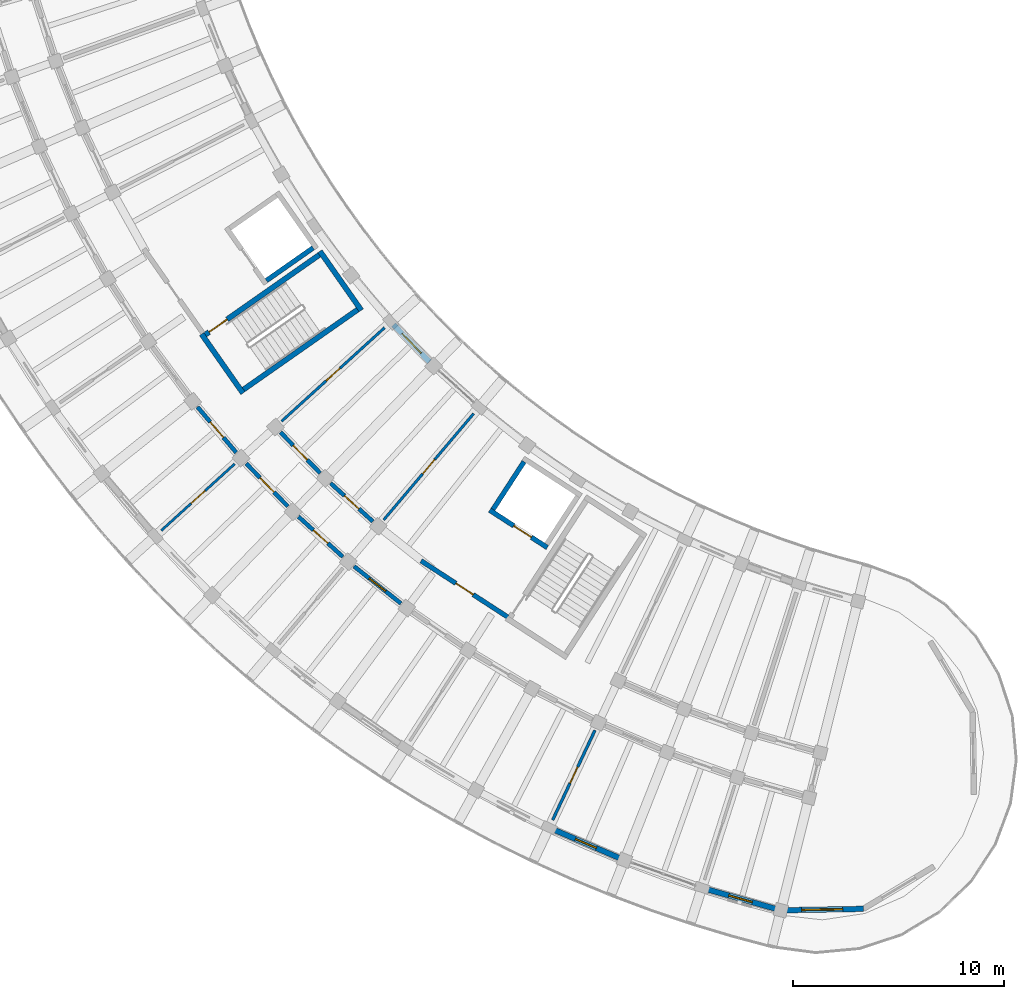
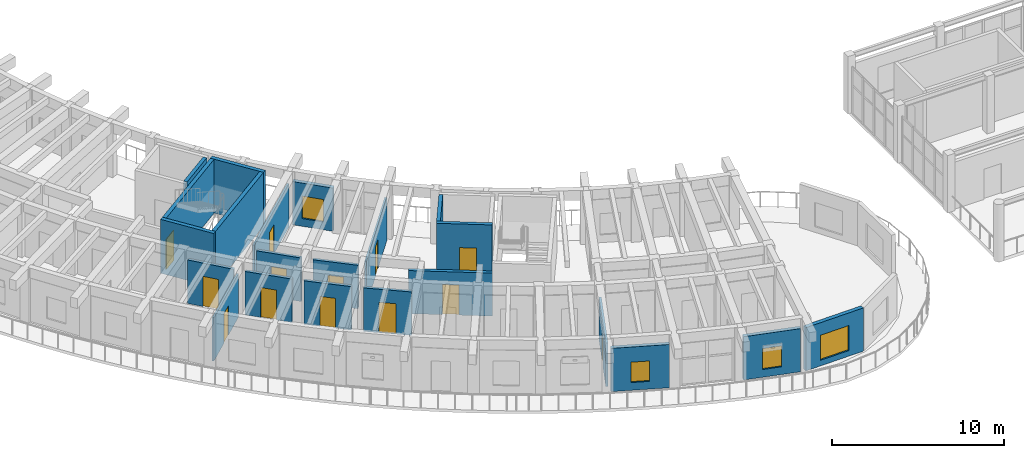
# One storey, part 81 of 128: 22 walls, 13 doors, 4 windows, 17 openings.
"""IFC4 building model written with IfcOpenShell, lengths in metres."""

import ifcopenshell
import ifcopenshell.guid

model = None  # the IFC model being written
_history = None  # IfcOwnerHistory: only IFC2X3 demands one
_inside = {}  # id of a spatial element -> (the spatial element, [elements in it])
_under = {}  # id of a project, library or spatial element -> (it, [spatial elements below it])
_declared = {}  # id of a project -> (the project, [libraries it declares])
_typed = {}  # id of a type object -> (the type object, [elements of that type])
_made_of = {}  # id of a material, layer set ... -> (it, [elements and type objects made of it])


def new_model(schema):
    """Start an empty IFC model of exactly this schema.

    Asked for "IFC4X3", IfcOpenShell would pick the latest addendum, in which some entities
    have other attributes; the version numbers below select the first issue.
    IFC2X3 requires an IfcOwnerHistory on every rooted entity: one is made here for all.
    """
    global model, _history
    if schema == "IFC4X3":
        model = ifcopenshell.file(schema_version=(4, 3, 0, 0))
    else:
        model = ifcopenshell.file(schema=schema)
    _inside.clear()
    _under.clear()
    _declared.clear()
    _typed.clear()
    _made_of.clear()
    _history = None
    if model.schema == "IFC2X3":
        org = make("IfcOrganization", Name="unknown")
        user = make(
            "IfcPersonAndOrganization",
            ThePerson=make("IfcPerson", FamilyName="unknown"),
            TheOrganization=org,
        )
        app = make(
            "IfcApplication",
            ApplicationDeveloper=org,
            Version="unknown",
            ApplicationFullName="unknown",
            ApplicationIdentifier="unknown",
        )
        _history = make(
            "IfcOwnerHistory",
            OwningUser=user,
            OwningApplication=app,
            ChangeAction="ADDED",
            CreationDate=0,
        )
    return model


def make(cls, **values):
    """One entity of the class cls with the attributes given. An attribute that is None is left unset."""
    return model.create_entity(
        cls, **{name: value for name, value in values.items() if value is not None}
    )


def rooted(cls, **values):
    """An entity with a GlobalId (a new one), such as an element, a storey or a relation."""
    return make(cls, GlobalId=ifcopenshell.guid.new(), OwnerHistory=_history, **values)


def si_unit(unit_type, name, prefix=None):
    """IfcSIUnit, for example si_unit("LENGTHUNIT", "METRE", prefix="MILLI")."""
    return make("IfcSIUnit", UnitType=unit_type, Prefix=prefix, Name=name)


def assignment(units):
    """IfcUnitAssignment: the units of a project."""
    return None if units is None else make("IfcUnitAssignment", Units=units)


def point(xyz):
    """IfcCartesianPoint."""
    return None if xyz is None else make("IfcCartesianPoint", Coordinates=xyz)


def direction(xyz):
    """IfcDirection."""
    return None if xyz is None else make("IfcDirection", DirectionRatios=xyz)


def frame(location, z_axis=None, x_axis=None):
    """IfcAxis2Placement3D, a coordinate frame: its origin and axes. An axis left out is left unset."""
    return make(
        "IfcAxis2Placement3D",
        Location=point(location),
        Axis=direction(z_axis),
        RefDirection=direction(x_axis),
    )


def frame_2d(location, x_axis=None):
    """IfcAxis2Placement2D, a coordinate frame in the plane: its origin and x axis."""
    return make(
        "IfcAxis2Placement2D", Location=point(location), RefDirection=direction(x_axis)
    )


def origin():
    """The frame at (0, 0, 0) with its axes left unset."""
    return frame((0.0, 0.0, 0.0))


def place(relative_to, where):
    """IfcLocalPlacement: puts the frame where relative to a parent placement (None: the world)."""
    return make(
        "IfcLocalPlacement", PlacementRelTo=relative_to, RelativePlacement=where
    )


def context(
    kind, dimensions, precision=None, world=None, true_north=None, identifier=None
):
    """IfcGeometricRepresentationContext, for example the 3D "Model" context."""
    return make(
        "IfcGeometricRepresentationContext",
        ContextIdentifier=identifier,
        ContextType=kind,
        CoordinateSpaceDimension=dimensions,
        Precision=precision,
        WorldCoordinateSystem=world,
        TrueNorth=true_north,
    )


def subcontext(parent, identifier, kind, view, scale=None):
    """IfcGeometricRepresentationSubContext, for example "Body" below "Model"."""
    return make(
        "IfcGeometricRepresentationSubContext",
        ContextIdentifier=identifier,
        ContextType=kind,
        ParentContext=parent,
        TargetScale=scale,
        TargetView=view,
    )


def project(units=None, contexts=None):
    """IfcProject with its units and contexts."""
    return rooted(
        "IfcProject",
        Name="project",
        RepresentationContexts=contexts,
        UnitsInContext=assignment(units),
    )


def spatial(cls, under=None, at=None, **own):
    """A site, building, storey or space (cls), placed at a placement, below another one or the project."""
    s = rooted(cls, ObjectPlacement=at, **own)
    if under is not None:
        _under.setdefault(under.id(), (under, []))[1].append(s)
    return s


def profile(cls, at=None, kind="AREA", **sizes):
    """A parametric profile (cls). Its sizes go by their IFC names, for example OverallWidth=200.0."""
    return make(cls, ProfileType=kind, Position=at, **sizes)


def rectangle(**sizes):
    """IfcRectangleProfileDef."""
    return profile("IfcRectangleProfileDef", **sizes)


def extrude(swept, where, along, depth):
    """IfcExtrudedAreaSolid: the profile swept, set in the frame where, extruded along a direction by depth."""
    return make(
        "IfcExtrudedAreaSolid",
        SweptArea=swept,
        Position=where,
        ExtrudedDirection=direction(along),
        Depth=depth,
    )


def shape(context_of_items, identifier, shape_type, items):
    """IfcShapeRepresentation: the items that make up one representation, for example the "Body"."""
    return make(
        "IfcShapeRepresentation",
        ContextOfItems=context_of_items,
        RepresentationIdentifier=identifier,
        RepresentationType=shape_type,
        Items=items,
    )


def material(Name=None, Category=None):
    """IfcMaterial."""
    return make("IfcMaterial", Name=Name, Category=Category)


def layer(
    of_material, thickness, ventilated=None, Name=None, Category=None, Priority=None
):
    """IfcMaterialLayer: one layer of a wall or slab, of a material (None: an air gap)."""
    return make(
        "IfcMaterialLayer",
        Material=of_material,
        LayerThickness=thickness,
        IsVentilated=ventilated,
        Name=Name,
        Category=Category,
        Priority=Priority,
    )


def layer_set(layers, Name=None):
    """IfcMaterialLayerSet."""
    return make("IfcMaterialLayerSet", MaterialLayers=layers, LayerSetName=Name)


def made_of(thing, what):
    """Note that an element or type object is made of a material, layer set ...; save() writes the relation."""
    if what is not None:
        _made_of.setdefault(what.id(), (what, []))[1].append(thing)
    return thing


def type_object(cls, material=None, **own):
    """A type object (cls), such as IfcWallType, which elements share."""
    return made_of(rooted(cls, **own), material)


def element(
    cls,
    number,
    at=None,
    inside=None,
    cuts=None,
    type_object=None,
    material=None,
    context=None,
    identifier="Body",
    shape_type=None,
    held_by="IfcProductDefinitionShape",
    body=None,
    shapes=None,
    **own,
):
    """One element of the class cls, such as IfcWall. Its Tag is "e" and its number.

    at: its placement. inside: the storey or other place that contains it. cuts: it is an
    opening in that element (IfcRelVoidsElement). A single representation is given by context,
    identifier, shape_type and body (its items); several are given by shapes. held_by: the class
    of the entity that holds the representations. save() writes the other relations.
    """
    e = rooted(cls, Tag="e%d" % number, ObjectPlacement=at, **own)
    if body is not None:
        shapes = [shape(context, identifier, shape_type, body)]
    if shapes is not None:
        e.Representation = make(held_by, Representations=shapes)
    if inside is not None:
        _inside.setdefault(inside.id(), (inside, []))[1].append(e)
    if cuts is not None:
        rooted(
            "IfcRelVoidsElement", RelatingBuildingElement=cuts, RelatedOpeningElement=e
        )
    if type_object is not None:
        _typed.setdefault(type_object.id(), (type_object, []))[1].append(e)
    return made_of(e, material)


def fill(opening, filler):
    """IfcRelFillsElement: the door or window that sits in an opening."""
    return rooted(
        "IfcRelFillsElement",
        RelatingOpeningElement=opening,
        RelatedBuildingElement=filler,
    )


def aggregate(whole, parts):
    """IfcRelAggregates: a whole, such as a stair, and the parts it consists of."""
    return rooted("IfcRelAggregates", RelatingObject=whole, RelatedObjects=parts)


def save(model, path):
    """Write the relations noted so far, then the file.

    IfcRelAggregates (storeys below a building ...), IfcRelContainedInSpatialStructure (elements
    in a storey), IfcRelDefinesByType, IfcRelAssociatesMaterial and IfcRelDeclares: one each for
    every whole, place, type object, material and project.
    """
    for whole, parts in _under.values():
        aggregate(whole, parts)
    for where, things in _inside.values():
        rooted(
            "IfcRelContainedInSpatialStructure",
            RelatedElements=things,
            RelatingStructure=where,
        )
    for kind, things in _typed.values():
        rooted("IfcRelDefinesByType", RelatedObjects=things, RelatingType=kind)
    for what, things in _made_of.values():
        rooted("IfcRelAssociatesMaterial", RelatedObjects=things, RelatingMaterial=what)
    for by, libraries in _declared.values():
        rooted("IfcRelDeclares", RelatingContext=by, RelatedDefinitions=libraries)
    model.write(path)


model = new_model("IFC4")

# Units and contexts
model_context = context("Model", 3, precision=1e-05, world=origin(), true_north=direction((0.0, 1.0)))
body_context = subcontext(model_context, "Body", "Model", "MODEL_VIEW")
ifc_project = project(units=[si_unit("LENGTHUNIT", "METRE"), si_unit("AREAUNIT", "SQUARE_METRE"), si_unit("VOLUMEUNIT", "CUBIC_METRE"), si_unit("PLANEANGLEUNIT", "RADIAN"), si_unit("MASSUNIT", "GRAM", prefix="KILO")], contexts=[model_context])

# Site, building, storey
site_placement = place(None, origin())
site = spatial("IfcSite", under=ifc_project, at=site_placement, CompositionType="ELEMENT")
building_placement = place(site_placement, origin())
building = spatial("IfcBuilding", under=site, at=building_placement, Name="Tanwirah Colonnade Gardens", CompositionType="ELEMENT")
storey_placement = place(building_placement, frame((0.0, 0.0, 4.760009765625)))
storey = spatial("IfcBuildingStorey", under=building, at=storey_placement, Name="L01", CompositionType="ELEMENT", Elevation=4.760009765625)

# Wall, opening, window
ifc_material_1 = material(Name="Limestone architectural precast concrete C40/50", Category="masonry")
ifc_layer_1 = layer(ifc_material_1, 0.260009765625)
ifc_layer_set_1 = layer_set([ifc_layer_1], Name="Limestone architectural precast concrete C40/50")
wall_type_1 = type_object("IfcWallType", Name="EW-PC260", PredefinedType="SOLIDWALL", material=ifc_layer_set_1)
wall_1_placement = place(storey_placement, frame((32.22607421875, 34.48046875, 0.0), z_axis=(0.0, 0.0, 1.0), x_axis=(0.696206559645, -0.717841505004, 0.0)))
wall_1 = element("IfcWall", 1, at=wall_1_placement, inside=storey, type_object=wall_type_1, Name="Block C L01 IN Precast Facade Wall 7", PredefinedType="SOLIDWALL", context=body_context, shape_type="SweptSolid", body=[
    extrude(rectangle(XDim=2.44873046875, YDim=0.260009765625, at=frame_2d((1.224365234375, 0.0))), origin(), (0.0, 0.0, 1.0), 3.074951171875),
])
opening_1_placement = place(wall_1_placement, frame((0.574462890625, 0.0, 0.550048828125)))
opening_1 = element("IfcOpeningElement", 2, at=opening_1_placement, cuts=wall_1, Name="Opening WIN-T04", PredefinedType="OPENING", context=body_context, shape_type="SweptSolid", body=[
    extrude(rectangle(XDim=1.300048828125, YDim=1.60009765625, at=frame_2d((0.64990234375, 0.800048828125))), frame((0.0, 0.139892578125, 0.0), z_axis=(0.0, -1.0, 0.0), x_axis=(1.0, 0.0, 0.0)), (0.0, 0.0, 1.0), 0.280029296875),
])
ifc_material_2 = material(Name="Thermally broken bronze aluminium and solar low-E double glazing", Category="aluminium")
window_type_1 = type_object("IfcWindowType", Name="WIN-T04", PartitioningType="DOUBLE_PANEL_VERTICAL", PredefinedType="WINDOW", material=ifc_material_2)
window_1_placement = place(opening_1_placement, origin())
window_1 = element("IfcWindow", 3, at=window_1_placement, inside=storey, type_object=window_type_1, Name="Facade window C-L01-IN-07", OverallHeight=1.60009765625, OverallWidth=1.300048828125, PartitioningType="SINGLE_PANEL", PredefinedType="WINDOW", context=body_context, shape_type="SweptSolid", body=[
    extrude(rectangle(XDim=1.300048828125, YDim=1.60009765625, at=frame_2d((0.64990234375, 0.800048828125))), frame((0.0, 0.030029296875, 0.0), z_axis=(0.0, -1.0, 0.0), x_axis=(1.0, 0.0, 0.0)), (0.0, 0.0, 1.0), 0.06005859375),
])
fill(opening_1, window_1)

wall_2_placement = place(storey_placement, frame((39.767578125, 10.56640625, 0.0), z_axis=(0.0, 0.0, 1.0), x_axis=(0.917905988043, -0.396797929826, 0.0)))
wall_2 = element("IfcWall", 4, at=wall_2_placement, inside=storey, type_object=wall_type_1, Name="Block C L01 OUT Precast Facade Wall 13", PredefinedType="SOLIDWALL", context=body_context, shape_type="SweptSolid", body=[
    extrude(rectangle(XDim=3.43701171875, YDim=0.260009765625, at=frame_2d((1.718505859375, 0.0))), origin(), (0.0, 0.0, 1.0), 3.074951171875),
])
opening_2_placement = place(wall_2_placement, frame((1.178466796875, 0.0, 0.550048828125)))
opening_2 = element("IfcOpeningElement", 5, at=opening_2_placement, cuts=wall_2, Name="Opening WIN-T15", PredefinedType="OPENING", context=body_context, shape_type="SweptSolid", body=[
    extrude(rectangle(XDim=1.080078125, YDim=1.449951171875, at=frame_2d((0.5400390625, 0.72509765625))), frame((0.0, 0.139892578125, 0.0), z_axis=(0.0, -1.0, 0.0), x_axis=(1.0, 0.0, 0.0)), (0.0, 0.0, 1.0), 0.280029296875),
])
window_type_2 = type_object("IfcWindowType", Name="WIN-T15", PartitioningType="SINGLE_PANEL", PredefinedType="WINDOW", material=ifc_material_2)
window_2_placement = place(opening_2_placement, origin())
window_2 = element("IfcWindow", 6, at=window_2_placement, inside=storey, type_object=window_type_2, Name="Facade window C-L01-OUT-13", OverallHeight=1.449951171875, OverallWidth=1.080078125, PartitioningType="SINGLE_PANEL", PredefinedType="WINDOW", context=body_context, shape_type="SweptSolid", body=[
    extrude(rectangle(XDim=1.080078125, YDim=1.449951171875, at=frame_2d((0.5400390625, 0.72509765625))), frame((0.0, 0.030029296875, 0.0), z_axis=(0.0, -1.0, 0.0), x_axis=(1.0, 0.0, 0.0)), (0.0, 0.0, 1.0), 0.06005859375),
])
fill(opening_2, window_2)

wall_3_placement = place(storey_placement, frame((47.023193359375, 7.734130859375, 0.0), z_axis=(0.0, 0.0, 1.0), x_axis=(0.961876981915, -0.273482488766, 0.0)))
wall_3 = element("IfcWall", 7, at=wall_3_placement, inside=storey, type_object=wall_type_1, Name="Block C L01 OUT Precast Facade Wall 15", PredefinedType="SOLIDWALL", context=body_context, shape_type="SweptSolid", body=[
    extrude(rectangle(XDim=3.43701171875, YDim=0.260009765625, at=frame_2d((1.718505859375, 0.0))), origin(), (0.0, 0.0, 1.0), 3.074951171875),
])
opening_3_placement = place(wall_3_placement, frame((1.138427734375, 0.0, 0.550048828125)))
opening_3 = element("IfcOpeningElement", 8, at=opening_3_placement, cuts=wall_3, Name="Opening WIN-U01", PredefinedType="OPENING", context=body_context, shape_type="SweptSolid", body=[
    extrude(rectangle(XDim=1.159912109375, YDim=1.485107421875, at=frame_2d((0.580078125, 0.74267578125))), frame((0.0, 0.139892578125, 0.0), z_axis=(0.0, -1.0, 0.0), x_axis=(1.0, 0.0, 0.0)), (0.0, 0.0, 1.0), 0.280029296875),
])
window_type_3 = type_object("IfcWindowType", Name="WIN-U01", PartitioningType="DOUBLE_PANEL_VERTICAL", PredefinedType="WINDOW", material=ifc_material_2)
window_3_placement = place(opening_3_placement, origin())
window_3 = element("IfcWindow", 9, at=window_3_placement, inside=storey, type_object=window_type_3, Name="Facade window C-L01-OUT-15", OverallHeight=1.485107421875, OverallWidth=1.159912109375, PartitioningType="SINGLE_PANEL", PredefinedType="WINDOW", context=body_context, shape_type="SweptSolid", body=[
    extrude(rectangle(XDim=1.159912109375, YDim=1.485107421875, at=frame_2d((0.580078125, 0.74267578125))), frame((0.0, 0.030029296875, 0.0), z_axis=(0.0, -1.0, 0.0), x_axis=(1.0, 0.0, 0.0)), (0.0, 0.0, 1.0), 0.06005859375),
])
fill(opening_3, window_3)

wall_4_placement = place(storey_placement, frame((54.501220703125, 6.787109375, 0.0), z_axis=(0.0, 0.0, 1.0), x_axis=(-0.999848115368, -0.017428315893, 0.0)))
wall_4 = element("IfcWall", 10, at=wall_4_placement, inside=storey, type_object=wall_type_1, Name="Block C L01 END Rounded End Wall 5", PredefinedType="SOLIDWALL", context=body_context, shape_type="SweptSolid", body=[
    extrude(rectangle(XDim=3.908203125, YDim=0.260009765625, at=frame_2d((1.9541015625, 0.0))), origin(), (0.0, 0.0, 1.0), 3.074951171875),
])
opening_4_placement = place(wall_4_placement, frame((0.97900390625, 0.0, 0.39990234375)))
opening_4 = element("IfcOpeningElement", 11, at=opening_4_placement, cuts=wall_4, Name="Opening WIN-END2", PredefinedType="OPENING", context=body_context, shape_type="SweptSolid", body=[
    extrude(rectangle(XDim=1.949951171875, YDim=1.780029296875, at=frame_2d((0.97509765625, 0.89013671875))), frame((0.0, 0.139892578125, 0.0), z_axis=(0.0, -1.0, 0.0), x_axis=(1.0, 0.0, 0.0)), (0.0, 0.0, 1.0), 0.280029296875),
])
window_type_4 = type_object("IfcWindowType", Name="WIN-END2", PartitioningType="TRIPLE_PANEL_VERTICAL", PredefinedType="WINDOW", material=ifc_material_2)
window_4_placement = place(opening_4_placement, origin())
window_4 = element("IfcWindow", 12, at=window_4_placement, inside=storey, type_object=window_type_4, Name="Rounded corner window C-L01-END-5", OverallHeight=1.780029296875, OverallWidth=1.949951171875, PartitioningType="SINGLE_PANEL", PredefinedType="WINDOW", context=body_context, shape_type="SweptSolid", body=[
    extrude(rectangle(XDim=1.949951171875, YDim=1.780029296875, at=frame_2d((0.97509765625, 0.89013671875))), frame((0.0, 0.030029296875, 0.0), z_axis=(0.0, -1.0, 0.0), x_axis=(1.0, 0.0, 0.0)), (0.0, 0.0, 1.0), 0.06005859375),
])
fill(opening_4, window_4)

# Wall, opening, door
ifc_material_3 = material(Name="Precast concrete C40/50", Category="concrete")
ifc_layer_2 = layer(ifc_material_3, 0.195068359375)
ifc_layer_set_2 = layer_set([ifc_layer_2], Name="Precast concrete C40/50")
wall_type_2 = type_object("IfcWallType", Name="IW-CORR195", PredefinedType="PARTITIONING", material=ifc_layer_set_2)
wall_5_placement = place(storey_placement, frame((22.9267578125, 30.58642578125, 0.0), z_axis=(0.0, 0.0, 1.0), x_axis=(0.64778830669, -0.761820392032, 0.0)))
wall_5 = element("IfcWall", 13, at=wall_5_placement, inside=storey, type_object=wall_type_2, Name="Block C L01 OUT Corridor Wall 6", PredefinedType="PARTITIONING", context=body_context, shape_type="SweptSolid", body=[
    extrude(rectangle(XDim=2.8369140625, YDim=0.195068359375, at=frame_2d((1.41845703125, 0.0))), origin(), (0.0, 0.0, 1.0), 3.090087890625),
])
opening_5_placement = place(wall_5_placement, frame((0.93359375, 0.0, 0.0)))
opening_5 = element("IfcOpeningElement", 14, at=opening_5_placement, cuts=wall_5, Name="Opening L01-AD1328", PredefinedType="OPENING", context=body_context, shape_type="SweptSolid", body=[
    extrude(rectangle(XDim=0.969970703125, YDim=2.14990234375, at=frame_2d((0.48486328125, 1.074951171875))), frame((0.0, 0.107421875, 0.0), z_axis=(0.0, -1.0, 0.0), x_axis=(1.0, 0.0, 0.0)), (0.0, 0.0, 1.0), 0.215087890625),
])
ifc_material_4 = material(Name="Solid oak fire-resisting apartment entrance door")
door_type_1 = type_object("IfcDoorType", Name="ID-FLT097", OperationType="NOTDEFINED", PredefinedType="DOOR", material=ifc_material_4)
door_1_placement = place(opening_5_placement, origin())
door_1 = element("IfcDoor", 15, at=door_1_placement, inside=storey, type_object=door_type_1, Name="Apartment corridor door L01-AD1328", OperationType="SINGLE_SWING_RIGHT", OverallHeight=2.14990234375, OverallWidth=0.969970703125, PredefinedType="DOOR", context=body_context, shape_type="SweptSolid", body=[
    extrude(rectangle(XDim=0.969970703125, YDim=2.14990234375, at=frame_2d((0.48486328125, 1.074951171875))), frame((0.0, 0.02490234375, 0.0), z_axis=(0.0, -1.0, 0.0), x_axis=(1.0, 0.0, 0.0)), (0.0, 0.0, 1.0), 0.050048828125),
])
fill(opening_5, door_1)

wall_6_placement = place(storey_placement, frame((25.23486328125, 27.9072265625, 0.0), z_axis=(0.0, 0.0, 1.0), x_axis=(0.696223786753, -0.717824796701, 0.0)))
wall_6 = element("IfcWall", 16, at=wall_6_placement, inside=storey, type_object=wall_type_2, Name="Block C L01 OUT Corridor Wall 7", PredefinedType="PARTITIONING", context=body_context, shape_type="SweptSolid", body=[
    extrude(rectangle(XDim=2.8369140625, YDim=0.195068359375, at=frame_2d((1.41845703125, 0.0))), origin(), (0.0, 0.0, 1.0), 3.090087890625),
])
opening_6_placement = place(wall_6_placement, frame((0.943603515625, 0.0, 0.0)))
opening_6 = element("IfcOpeningElement", 17, at=opening_6_placement, cuts=wall_6, Name="Opening L01-AD1331", PredefinedType="OPENING", context=body_context, shape_type="SweptSolid", body=[
    extrude(rectangle(XDim=0.949951171875, YDim=2.1298828125, at=frame_2d((0.47509765625, 1.06494140625))), frame((0.0, 0.107421875, 0.0), z_axis=(0.0, -1.0, 0.0), x_axis=(1.0, 0.0, 0.0)), (0.0, 0.0, 1.0), 0.215087890625),
])
door_type_2 = type_object("IfcDoorType", Name="ID-FLT095", OperationType="NOTDEFINED", PredefinedType="DOOR", material=ifc_material_4)
door_2_placement = place(opening_6_placement, origin())
door_2 = element("IfcDoor", 18, at=door_2_placement, inside=storey, type_object=door_type_2, Name="Apartment corridor door L01-AD1331", OperationType="SINGLE_SWING_LEFT", OverallHeight=2.1298828125, OverallWidth=0.949951171875, PredefinedType="DOOR", context=body_context, shape_type="SweptSolid", body=[
    extrude(rectangle(XDim=0.949951171875, YDim=2.1298828125, at=frame_2d((0.47509765625, 1.06494140625))), frame((0.0, 0.02490234375, 0.0), z_axis=(0.0, -1.0, 0.0), x_axis=(1.0, 0.0, 0.0)), (0.0, 0.0, 1.0), 0.050048828125),
])
fill(opening_6, door_2)

wall_7_placement = place(storey_placement, frame((26.86328125, 29.386474609375, 0.0), z_axis=(0.0, 0.0, 1.0), x_axis=(0.696236443412, -0.717812520694, 0.0)))
wall_7 = element("IfcWall", 19, at=wall_7_placement, inside=storey, type_object=wall_type_2, Name="Block C L01 IN Corridor Wall 7", PredefinedType="PARTITIONING", context=body_context, shape_type="SweptSolid", body=[
    extrude(rectangle(XDim=2.693115234375, YDim=0.195068359375, at=frame_2d((1.3466796875, 0.0))), origin(), (0.0, 0.0, 1.0), 3.090087890625),
])
opening_7_placement = place(wall_7_placement, frame((0.87158203125, 0.0, 0.0)))
opening_7 = element("IfcOpeningElement", 20, at=opening_7_placement, cuts=wall_7, Name="Opening L01-AD1332", PredefinedType="OPENING", context=body_context, shape_type="SweptSolid", body=[
    extrude(rectangle(XDim=0.949951171875, YDim=2.1298828125, at=frame_2d((0.47509765625, 1.06494140625))), frame((0.0, 0.107421875, 0.0), z_axis=(0.0, -1.0, 0.0), x_axis=(1.0, 0.0, 0.0)), (0.0, 0.0, 1.0), 0.215087890625),
])
door_3_placement = place(opening_7_placement, origin())
door_3 = element("IfcDoor", 21, at=door_3_placement, inside=storey, type_object=door_type_2, Name="Apartment corridor door L01-AD1332", OperationType="SINGLE_SWING_RIGHT", OverallHeight=2.1298828125, OverallWidth=0.949951171875, PredefinedType="DOOR", context=body_context, shape_type="SweptSolid", body=[
    extrude(rectangle(XDim=0.949951171875, YDim=2.1298828125, at=frame_2d((0.47509765625, 1.06494140625))), frame((0.0, 0.02490234375, 0.0), z_axis=(0.0, -1.0, 0.0), x_axis=(1.0, 0.0, 0.0)), (0.0, 0.0, 1.0), 0.050048828125),
])
fill(opening_7, door_3)

wall_8_placement = place(storey_placement, frame((27.71337890625, 25.385009765625, 0.0), z_axis=(0.0, 0.0, 1.0), x_axis=(0.741631592147, -0.670807410163, 0.0)))
wall_8 = element("IfcWall", 22, at=wall_8_placement, inside=storey, type_object=wall_type_2, Name="Block C L01 OUT Corridor Wall 8", PredefinedType="PARTITIONING", context=body_context, shape_type="SweptSolid", body=[
    extrude(rectangle(XDim=2.8369140625, YDim=0.195068359375, at=frame_2d((1.41845703125, 0.0))), origin(), (0.0, 0.0, 1.0), 3.090087890625),
])
opening_8_placement = place(wall_8_placement, frame((0.95361328125, 0.0, 0.0)))
opening_8 = element("IfcOpeningElement", 23, at=opening_8_placement, cuts=wall_8, Name="Opening L01-AD1333", PredefinedType="OPENING", context=body_context, shape_type="SweptSolid", body=[
    extrude(rectangle(XDim=0.929931640625, YDim=2.1201171875, at=frame_2d((0.46484375, 1.06005859375))), frame((0.0, 0.107421875, 0.0), z_axis=(0.0, -1.0, 0.0), x_axis=(1.0, 0.0, 0.0)), (0.0, 0.0, 1.0), 0.215087890625),
])
door_type_3 = type_object("IfcDoorType", Name="ID-FLT093", OperationType="NOTDEFINED", PredefinedType="DOOR", material=ifc_material_4)
door_4_placement = place(opening_8_placement, origin())
door_4 = element("IfcDoor", 24, at=door_4_placement, inside=storey, type_object=door_type_3, Name="Apartment corridor door L01-AD1333", OperationType="SINGLE_SWING_RIGHT", OverallHeight=2.1201171875, OverallWidth=0.929931640625, PredefinedType="DOOR", context=body_context, shape_type="SweptSolid", body=[
    extrude(rectangle(XDim=0.929931640625, YDim=2.1201171875, at=frame_2d((0.46484375, 1.06005859375))), frame((0.0, 0.02490234375, 0.0), z_axis=(0.0, -1.0, 0.0), x_axis=(1.0, 0.0, 0.0)), (0.0, 0.0, 1.0), 0.050048828125),
])
fill(opening_8, door_4)

wall_9_placement = place(storey_placement, frame((29.241455078125, 26.967529296875, 0.0), z_axis=(0.0, 0.0, 1.0), x_axis=(0.74166462946, -0.670770882945, 0.0)))
wall_9 = element("IfcWall", 25, at=wall_9_placement, inside=storey, type_object=wall_type_2, Name="Block C L01 IN Corridor Wall 8", PredefinedType="PARTITIONING", context=body_context, shape_type="SweptSolid", body=[
    extrude(rectangle(XDim=2.693115234375, YDim=0.195068359375, at=frame_2d((1.3466796875, 0.0))), origin(), (0.0, 0.0, 1.0), 3.090087890625),
])
opening_9_placement = place(wall_9_placement, frame((0.881591796875, 0.0, 0.0)))
opening_9 = element("IfcOpeningElement", 26, at=opening_9_placement, cuts=wall_9, Name="Opening L01-AD1334", PredefinedType="OPENING", context=body_context, shape_type="SweptSolid", body=[
    extrude(rectangle(XDim=0.929931640625, YDim=2.1201171875, at=frame_2d((0.46484375, 1.06005859375))), frame((0.0, 0.107421875, 0.0), z_axis=(0.0, -1.0, 0.0), x_axis=(1.0, 0.0, 0.0)), (0.0, 0.0, 1.0), 0.215087890625),
])
door_5_placement = place(opening_9_placement, origin())
door_5 = element("IfcDoor", 27, at=door_5_placement, inside=storey, type_object=door_type_3, Name="Apartment corridor door L01-AD1334", OperationType="SINGLE_SWING_LEFT", OverallHeight=2.1201171875, OverallWidth=0.929931640625, PredefinedType="DOOR", context=body_context, shape_type="SweptSolid", body=[
    extrude(rectangle(XDim=0.929931640625, YDim=2.1201171875, at=frame_2d((0.46484375, 1.06005859375))), frame((0.0, 0.02490234375, 0.0), z_axis=(0.0, -1.0, 0.0), x_axis=(1.0, 0.0, 0.0)), (0.0, 0.0, 1.0), 0.050048828125),
])
fill(opening_9, door_5)

wall_10_placement = place(storey_placement, frame((30.351318359375, 23.030029296875, 0.0), z_axis=(0.0, 0.0, 1.0), x_axis=(0.783965548427, -0.620804332201, 0.0)))
wall_10 = element("IfcWall", 28, at=wall_10_placement, inside=storey, type_object=wall_type_2, Name="Block C L01 OUT Corridor Wall 9", PredefinedType="PARTITIONING", context=body_context, shape_type="SweptSolid", body=[
    extrude(rectangle(XDim=2.8369140625, YDim=0.195068359375, at=frame_2d((1.41845703125, 0.0))), origin(), (0.0, 0.0, 1.0), 3.090087890625),
])
opening_10_placement = place(wall_10_placement, frame((0.923583984375, 0.0, 0.0)))
opening_10 = element("IfcOpeningElement", 29, at=opening_10_placement, cuts=wall_10, Name="Opening L01-AD1337", PredefinedType="OPENING", context=body_context, shape_type="SweptSolid", body=[
    extrude(rectangle(XDim=0.989990234375, YDim=2.159912109375, at=frame_2d((0.4951171875, 1.080078125))), frame((0.0, 0.107421875, 0.0), z_axis=(0.0, -1.0, 0.0), x_axis=(1.0, 0.0, 0.0)), (0.0, 0.0, 1.0), 0.215087890625),
])
door_type_4 = type_object("IfcDoorType", Name="ID-FLT099", OperationType="NOTDEFINED", PredefinedType="DOOR", material=ifc_material_4)
door_6_placement = place(opening_10_placement, origin())
door_6 = element("IfcDoor", 30, at=door_6_placement, inside=storey, type_object=door_type_4, Name="Apartment corridor door L01-AD1337", OperationType="SINGLE_SWING_LEFT", OverallHeight=2.159912109375, OverallWidth=0.989990234375, PredefinedType="DOOR", context=body_context, shape_type="SweptSolid", body=[
    extrude(rectangle(XDim=0.989990234375, YDim=2.159912109375, at=frame_2d((0.4951171875, 1.080078125))), frame((0.0, 0.02490234375, 0.0), z_axis=(0.0, -1.0, 0.0), x_axis=(1.0, 0.0, 0.0)), (0.0, 0.0, 1.0), 0.050048828125),
])
fill(opening_10, door_6)

ifc_material_5 = material(Name="Autoclaved aerated masonry blockwork", Category="masonry")
ifc_layer_3 = layer(ifc_material_5, 0.219970703125)
ifc_layer_set_3 = layer_set([ifc_layer_3], Name="Autoclaved aerated masonry blockwork")
wall_type_3 = type_object("IfcWallType", Name="IW-FFL220", PredefinedType="PARTITIONING", material=ifc_layer_set_3)
wall_11_placement = place(storey_placement, frame((37.638916015625, 20.623291015625, 0.0), z_axis=(0.0, 0.0, 1.0), x_axis=(-0.838681446513, 0.544622283124, 0.0)))
wall_11 = element("IfcWall", 31, at=wall_11_placement, inside=storey, type_object=wall_type_3, Name="CORE-C2 L01 Enclosed Lobby Fire Wall", PredefinedType="PARTITIONING", context=body_context, shape_type="SweptSolid", body=[
    extrude(rectangle(XDim=4.900146484375, YDim=0.219970703125, at=frame_2d((2.4501953125, 0.0))), origin(), (0.0, 0.0, 1.0), 3.06005859375),
])
opening_11_placement = place(wall_11_placement, frame((1.949951171875, 0.0, 0.0)))
opening_11 = element("IfcOpeningElement", 32, at=opening_11_placement, cuts=wall_11, Name="Opening L01-LD159", PredefinedType="OPENING", context=body_context, shape_type="SweptSolid", body=[
    extrude(rectangle(XDim=0.97998046875, YDim=2.139892578125, at=frame_2d((0.489990234375, 1.06982421875))), frame((0.0, 0.119873046875, 0.0), z_axis=(0.0, -1.0, 0.0), x_axis=(1.0, 0.0, 0.0)), (0.0, 0.0, 1.0), 0.239990234375),
])
ifc_material_6 = material(Name="Acoustic fire-resisting lobby door")
door_type_5 = type_object("IfcDoorType", Name="ID-FFL098", OperationType="NOTDEFINED", PredefinedType="DOOR", material=ifc_material_6)
door_7_placement = place(opening_11_placement, origin())
door_7 = element("IfcDoor", 33, at=door_7_placement, inside=storey, type_object=door_type_5, Name="CORE-C2 L01 Lobby Fire Door L01-LD159", OperationType="SINGLE_SWING_RIGHT", OverallHeight=2.139892578125, OverallWidth=0.97998046875, PredefinedType="DOOR", context=body_context, shape_type="SweptSolid", body=[
    extrude(rectangle(XDim=0.97998046875, YDim=2.139892578125, at=frame_2d((0.489990234375, 1.06982421875))), frame((0.0, 0.02490234375, 0.0), z_axis=(0.0, -1.0, 0.0), x_axis=(1.0, 0.0, 0.0)), (0.0, 0.0, 1.0), 0.050048828125),
])
fill(opening_11, door_7)

ifc_material_7 = material(Name="Acoustic gypsum stud partition")
ifc_layer_4 = layer(ifc_material_7, 0.114990234375)
ifc_layer_set_4 = layer_set([ifc_layer_4], Name="Acoustic gypsum stud partition")
wall_type_4 = type_object("IfcWallType", Name="IW-INT115", PredefinedType="PARTITIONING", material=ifc_layer_set_4)
wall_12_placement = place(storey_placement, frame((24.695068359375, 27.8896484375, 0.0), z_axis=(0.0, 0.0, 1.0), x_axis=(-0.740212663782, -0.672372822456, 0.0)))
wall_12 = element("IfcWall", 34, at=wall_12_placement, inside=storey, type_object=wall_type_4, Name="Block C L01 Radial Partition 6", PredefinedType="PARTITIONING", context=body_context, shape_type="SweptSolid", body=[
    extrude(rectangle(XDim=4.699951171875, YDim=0.114990234375, at=frame_2d((2.35009765625, 0.0))), origin(), (0.0, 0.0, 1.0), 3.090087890625),
])
opening_12_placement = place(wall_12_placement, frame((1.905029296875, 0.0, 0.0)))
opening_12 = element("IfcOpeningElement", 35, at=opening_12_placement, cuts=wall_12, Name="Opening L01-RD1329", PredefinedType="OPENING", context=body_context, shape_type="SweptSolid", body=[
    extrude(rectangle(XDim=0.889892578125, YDim=2.10009765625, at=frame_2d((0.44482421875, 1.050048828125))), frame((0.0, 0.0673828125, 0.0), z_axis=(0.0, -1.0, 0.0), x_axis=(1.0, 0.0, 0.0)), (0.0, 0.0, 1.0), 0.135009765625),
])
ifc_material_8 = material(Name="Painted hardwood bedroom door", Category="wood")
door_type_6 = type_object("IfcDoorType", Name="ID-RM089", OperationType="NOTDEFINED", PredefinedType="DOOR", material=ifc_material_8)
door_8_placement = place(opening_12_placement, origin())
door_8 = element("IfcDoor", 36, at=door_8_placement, inside=storey, type_object=door_type_6, Name="Internal apartment door L01-RD1329", OperationType="SINGLE_SWING_RIGHT", OverallHeight=2.10009765625, OverallWidth=0.889892578125, PredefinedType="DOOR", context=body_context, shape_type="SweptSolid", body=[
    extrude(rectangle(XDim=0.889892578125, YDim=2.10009765625, at=frame_2d((0.44482421875, 1.050048828125))), frame((0.0, 0.02490234375, 0.0), z_axis=(0.0, -1.0, 0.0), x_axis=(1.0, 0.0, 0.0)), (0.0, 0.0, 1.0), 0.050048828125),
])
fill(opening_12, door_8)

ifc_material_9 = material(Name="Moisture-resistant gypsum stud partition")
ifc_layer_5 = layer(ifc_material_9, 0.125)
ifc_layer_set_5 = layer_set([ifc_layer_5], Name="Moisture-resistant gypsum stud partition")
wall_type_5 = type_object("IfcWallType", Name="IW-INT125", PredefinedType="PARTITIONING", material=ifc_layer_set_5)
wall_13_placement = place(storey_placement, frame((31.80126953125, 34.34423828125, 0.0), z_axis=(0.0, 0.0, 1.0), x_axis=(-0.74023124711, -0.672352363573, 0.0)))
wall_13 = element("IfcWall", 37, at=wall_13_placement, inside=storey, type_object=wall_type_5, Name="Block C L01 Inner Radial Partition 6", PredefinedType="PARTITIONING", context=body_context, shape_type="SweptSolid", body=[
    extrude(rectangle(XDim=6.599853515625, YDim=0.125, at=frame_2d((3.2998046875, 0.0))), origin(), (0.0, 0.0, 1.0), 3.090087890625),
])
opening_13_placement = place(wall_13_placement, frame((2.864990234375, 0.0, 0.0)))
opening_13 = element("IfcOpeningElement", 38, at=opening_13_placement, cuts=wall_13, Name="Opening L01-RD1330", PredefinedType="OPENING", context=body_context, shape_type="SweptSolid", body=[
    extrude(rectangle(XDim=0.8701171875, YDim=2.080078125, at=frame_2d((0.43505859375, 1.0400390625))), frame((0.0, 0.072509765625, 0.0), z_axis=(0.0, -1.0, 0.0), x_axis=(1.0, 0.0, 0.0)), (0.0, 0.0, 1.0), 0.14501953125),
])
ifc_material_10 = material(Name="Painted hardwood study door", Category="wood")
door_type_7 = type_object("IfcDoorType", Name="ID-RM087", OperationType="NOTDEFINED", PredefinedType="DOOR", material=ifc_material_10)
door_9_placement = place(opening_13_placement, origin())
door_9 = element("IfcDoor", 39, at=door_9_placement, inside=storey, type_object=door_type_7, Name="Internal apartment door L01-RD1330", OperationType="SINGLE_SWING_LEFT", OverallHeight=2.080078125, OverallWidth=0.8701171875, PredefinedType="DOOR", context=body_context, shape_type="SweptSolid", body=[
    extrude(rectangle(XDim=0.8701171875, YDim=2.080078125, at=frame_2d((0.43505859375, 1.0400390625))), frame((0.0, 0.02490234375, 0.0), z_axis=(0.0, -1.0, 0.0), x_axis=(1.0, 0.0, 0.0)), (0.0, 0.0, 1.0), 0.050048828125),
])
fill(opening_13, door_9)

wall_14_placement = place(storey_placement, frame((36.021240234375, 30.26904296875, 0.0), z_axis=(0.0, 0.0, 1.0), x_axis=(-0.646121311019, -0.763234728932, 0.0)))
wall_14 = element("IfcWall", 40, at=wall_14_placement, inside=storey, type_object=wall_type_5, Name="Block C L01 Inner Radial Partition 8", PredefinedType="PARTITIONING", context=body_context, shape_type="SweptSolid", body=[
    extrude(rectangle(XDim=6.60009765625, YDim=0.125, at=frame_2d((3.300048828125, 0.0))), origin(), (0.0, 0.0, 1.0), 3.090087890625),
])
opening_14_placement = place(wall_14_placement, frame((2.85498046875, 0.0, 0.0)))
opening_14 = element("IfcOpeningElement", 41, at=opening_14_placement, cuts=wall_14, Name="Opening L01-RD1336", PredefinedType="OPENING", context=body_context, shape_type="SweptSolid", body=[
    extrude(rectangle(XDim=0.889892578125, YDim=2.10009765625, at=frame_2d((0.44482421875, 1.050048828125))), frame((0.0, 0.072509765625, 0.0), z_axis=(0.0, -1.0, 0.0), x_axis=(1.0, 0.0, 0.0)), (0.0, 0.0, 1.0), 0.14501953125),
])
door_10_placement = place(opening_14_placement, origin())
door_10 = element("IfcDoor", 42, at=door_10_placement, inside=storey, type_object=door_type_6, Name="Internal apartment door L01-RD1336", OperationType="SINGLE_SWING_LEFT", OverallHeight=2.10009765625, OverallWidth=0.889892578125, PredefinedType="DOOR", context=body_context, shape_type="SweptSolid", body=[
    extrude(rectangle(XDim=0.889892578125, YDim=2.10009765625, at=frame_2d((0.44482421875, 1.050048828125))), frame((0.0, 0.02490234375, 0.0), z_axis=(0.0, -1.0, 0.0), x_axis=(1.0, 0.0, 0.0)), (0.0, 0.0, 1.0), 0.050048828125),
])
fill(opening_14, door_10)

ifc_material_11 = material(Name="Water-resistant acoustic plumbing partition")
ifc_layer_6 = layer(ifc_material_11, 0.139892578125)
ifc_layer_set_6 = layer_set([ifc_layer_6], Name="Water-resistant acoustic plumbing partition")
wall_type_6 = type_object("IfcWallType", Name="IW-WET140", PredefinedType="PLUMBINGWALL", material=ifc_layer_set_6)
wall_15_placement = place(storey_placement, frame((41.7734375, 15.25244140625, 0.0), z_axis=(0.0, 0.0, 1.0), x_axis=(-0.426567365945, -0.904455793453, 0.0)))
wall_15 = element("IfcWall", 43, at=wall_15_placement, inside=storey, type_object=wall_type_6, Name="Block C L01 Radial Partition 12", PredefinedType="PLUMBINGWALL", context=body_context, shape_type="SweptSolid", body=[
    extrude(rectangle(XDim=4.699951171875, YDim=0.139892578125, at=frame_2d((2.35009765625, 0.0))), origin(), (0.0, 0.0, 1.0), 3.090087890625),
])
opening_15_placement = place(wall_15_placement, frame((1.925048828125, 0.0, 0.0)))
opening_15 = element("IfcOpeningElement", 44, at=opening_15_placement, cuts=wall_15, Name="Opening L01-RD1342", PredefinedType="OPENING", context=body_context, shape_type="SweptSolid", body=[
    extrude(rectangle(XDim=0.85009765625, YDim=2.050048828125, at=frame_2d((0.425048828125, 1.02490234375))), frame((0.0, 0.079833984375, 0.0), z_axis=(0.0, -1.0, 0.0), x_axis=(1.0, 0.0, 0.0)), (0.0, 0.0, 1.0), 0.159912109375),
])
ifc_material_12 = material(Name="Moisture-resistant en-suite door")
door_type_8 = type_object("IfcDoorType", Name="ID-WET085", OperationType="NOTDEFINED", PredefinedType="DOOR", material=ifc_material_12)
door_11_placement = place(opening_15_placement, origin())
door_11 = element("IfcDoor", 45, at=door_11_placement, inside=storey, type_object=door_type_8, Name="Internal apartment door L01-RD1342", OperationType="SINGLE_SWING_RIGHT", OverallHeight=2.050048828125, OverallWidth=0.85009765625, PredefinedType="DOOR", context=body_context, shape_type="SweptSolid", body=[
    extrude(rectangle(XDim=0.85009765625, YDim=2.050048828125, at=frame_2d((0.425048828125, 1.02490234375))), frame((0.0, 0.02490234375, 0.0), z_axis=(0.0, -1.0, 0.0), x_axis=(1.0, 0.0, 0.0)), (0.0, 0.0, 1.0), 0.050048828125),
])
fill(opening_15, door_11)

# Walls
ifc_material_13 = material(Name="Concrete C45/55", Category="concrete")
ifc_layer_7 = layer(ifc_material_13, 0.25)
ifc_layer_set_7 = layer_set([ifc_layer_7], Name="Concrete C45/55")
wall_type_7 = type_object("IfcWallType", Name="SW-CORE250", PredefinedType="SHEAR", material=ifc_layer_set_7)
wall_16_placement = place(storey_placement, frame((25.1142578125, 31.413818359375, 0.0), z_axis=(0.0, 0.0, 1.0), x_axis=(0.819141541656, 0.573591435374, 0.0)))
element("IfcWall", 46, at=wall_16_placement, inside=storey, type_object=wall_type_7, Name="CORE-C1 L01 Stair Shaft Shear Wall LEFT", PredefinedType="SHEAR", context=body_context, shape_type="SweptSolid", body=[
    extrude(rectangle(XDim=6.599853515625, YDim=0.25, at=frame_2d((3.2998046875, 0.0))), origin(), (0.0, 0.0, 1.0), 3.830078125),
])
for number, where, z_axis, x_axis, name in (
    (47, (30.694580078125, 35.168701171875, 0.0), (0.0, 0.0, 1.0), (-0.573582112484, 0.819148069789, 0.0), "CORE-C1 L01 Stair Shaft Shear Wall FAR"),
    (48, (25.08349609375, 31.23974609375, 0.0), (0.0, 0.0, 1.0), (-0.573582112484, 0.819148069789, 0.0), "CORE-C1 L01 Stair Shaft Shear Wall NEAR"),
):
    element("IfcWall", number, at=place(storey_placement, frame(where, z_axis=z_axis, x_axis=x_axis)), inside=storey, type_object=wall_type_7, Name=name, PredefinedType="SHEAR", context=body_context, shape_type="SweptSolid", body=[
        extrude(rectangle(XDim=3.419921875, YDim=0.25, at=frame_2d((1.7099609375, 0.0))), origin(), (0.0, 0.0, 1.0), 3.830078125),
    ])

# Wall, opening, door
wall_17_placement = place(storey_placement, frame((23.2958984375, 34.010498046875, 0.0), z_axis=(0.0, 0.0, 1.0), x_axis=(0.819153711596, 0.573574055182, 0.0)))
wall_17 = element("IfcWall", 49, at=wall_17_placement, inside=storey, type_object=wall_type_7, Name="CORE-C1 L01 Stair Shaft Shear Wall RIGHT", PredefinedType="SHEAR", context=body_context, shape_type="SweptSolid", body=[
    extrude(rectangle(XDim=6.60009765625, YDim=0.25, at=frame_2d((3.300048828125, 0.0))), origin(), (0.0, 0.0, 1.0), 3.830078125),
])
opening_16_placement = place(wall_17_placement, frame((0.219970703125, 0.0, 0.0)))
opening_16 = element("IfcOpeningElement", 50, at=opening_16_placement, cuts=wall_17, Name="Opening L01-SD123", PredefinedType="OPENING", context=body_context, shape_type="SweptSolid", body=[
    extrude(rectangle(XDim=1.050048828125, YDim=2.14990234375, at=frame_2d((0.52490234375, 1.074951171875))), frame((0.0, 0.135009765625, 0.0), z_axis=(0.0, -1.0, 0.0), x_axis=(1.0, 0.0, 0.0)), (0.0, 0.0, 1.0), 0.27001953125),
])
ifc_material_14 = material(Name="Steel fire-resisting stair enclosure door", Category="steel")
door_type_9 = type_object("IfcDoorType", Name="ID-ST105", OperationType="NOTDEFINED", PredefinedType="DOOR", material=ifc_material_14)
door_12_placement = place(opening_16_placement, origin())
door_12 = element("IfcDoor", 51, at=door_12_placement, inside=storey, type_object=door_type_9, Name="CORE-C1 L01 Stair Fire Door L01-SD123", OperationType="SINGLE_SWING_RIGHT", OverallHeight=2.14990234375, OverallWidth=1.050048828125, PredefinedType="DOOR", context=body_context, shape_type="SweptSolid", body=[
    extrude(rectangle(XDim=1.050048828125, YDim=2.14990234375, at=frame_2d((0.52490234375, 1.074951171875))), frame((0.0, 0.02490234375, 0.0), z_axis=(0.0, -1.0, 0.0), x_axis=(1.0, 0.0, 0.0)), (0.0, 0.0, 1.0), 0.050048828125),
])
fill(opening_16, door_12)

# Wall
ifc_layer_8 = layer(ifc_material_13, 0.22998046875)
ifc_layer_set_8 = layer_set([ifc_layer_8], Name="Concrete C45/55")
wall_type_8 = type_object("IfcWallType", Name="SW-LIFT230", PredefinedType="SHEAR", material=ifc_layer_set_8)
wall_18_placement = place(storey_placement, frame((26.197265625, 36.579345703125, 0.0), z_axis=(0.0, 0.0, 1.0), x_axis=(0.819159695432, 0.573565509231, 0.0)))
element("IfcWall", 52, at=wall_18_placement, inside=storey, type_object=wall_type_8, Name="CORE-C1 L01 Lift Shaft Wall SIDEA", PredefinedType="SHEAR", context=body_context, shape_type="SweptSolid", body=[
    extrude(rectangle(XDim=2.699951171875, YDim=0.22998046875, at=frame_2d((1.35009765625, 0.0))), origin(), (0.0, 0.0, 1.0), 3.830078125),
])

# Wall, opening, door
wall_19_placement = place(storey_placement, frame((39.515869140625, 23.91748046875, 0.0), z_axis=(0.0, 0.0, 1.0), x_axis=(-0.838660840752, 0.544654013286, 0.0)))
wall_19 = element("IfcWall", 53, at=wall_19_placement, inside=storey, type_object=wall_type_8, Name="CORE-C2 L01 Lift Shaft Wall FRONT", PredefinedType="SHEAR", context=body_context, shape_type="SweptSolid", body=[
    extrude(rectangle(XDim=3.260009765625, YDim=0.22998046875, at=frame_2d((1.6298828125, 0.0))), origin(), (0.0, 0.0, 1.0), 3.830078125),
])
opening_17_placement = place(wall_19_placement, frame((0.89990234375, 0.0, 0.0)))
opening_17 = element("IfcOpeningElement", 54, at=opening_17_placement, cuts=wall_19, Name="Opening L01-LD-PL-C2", PredefinedType="OPENING", context=body_context, shape_type="SweptSolid", body=[
    extrude(rectangle(XDim=1.0, YDim=2.14990234375, at=frame_2d((0.5, 1.074951171875))), frame((0.0, 0.125, 0.0), z_axis=(0.0, -1.0, 0.0), x_axis=(1.0, 0.0, 0.0)), (0.0, 0.0, 1.0), 0.25),
])
ifc_material_15 = material(Name="Bronze stainless steel sliding lift landing door", Category="steel")
door_type_10 = type_object("IfcDoorType", Name="LD-PS10", OperationType="DOUBLE_DOOR_SLIDING", PredefinedType="DOOR", material=ifc_material_15)
door_13_placement = place(opening_17_placement, origin())
door_13 = element("IfcDoor", 55, at=door_13_placement, inside=storey, type_object=door_type_10, Name="Lift PL-C2 L01 Sliding Landing Door", OperationType="DOUBLE_DOOR_SLIDING", OverallHeight=2.14990234375, OverallWidth=1.0, PredefinedType="DOOR", context=body_context, shape_type="SweptSolid", body=[
    extrude(rectangle(XDim=1.0, YDim=2.14990234375, at=frame_2d((0.5, 1.074951171875))), frame((0.0, 0.02490234375, 0.0), z_axis=(0.0, -1.0, 0.0), x_axis=(1.0, 0.0, 0.0)), (0.0, 0.0, 1.0), 0.050048828125),
])
fill(opening_17, door_13)

# Wall
wall_20_placement = place(storey_placement, frame((36.94091796875, 25.726806640625, 0.0), z_axis=(0.0, 0.0, 1.0), x_axis=(0.544622789439, 0.838681117722, 0.0)))
element("IfcWall", 56, at=wall_20_placement, inside=storey, type_object=wall_type_8, Name="CORE-C2 L01 Lift Shaft Wall SIDEB", PredefinedType="SHEAR", context=body_context, shape_type="SweptSolid", body=[
    extrude(rectangle(XDim=2.699951171875, YDim=0.22998046875, at=frame_2d((1.35009765625, 0.0))), origin(), (0.0, 0.0, 1.0), 3.830078125),
])

save(model, "model.ifc")
